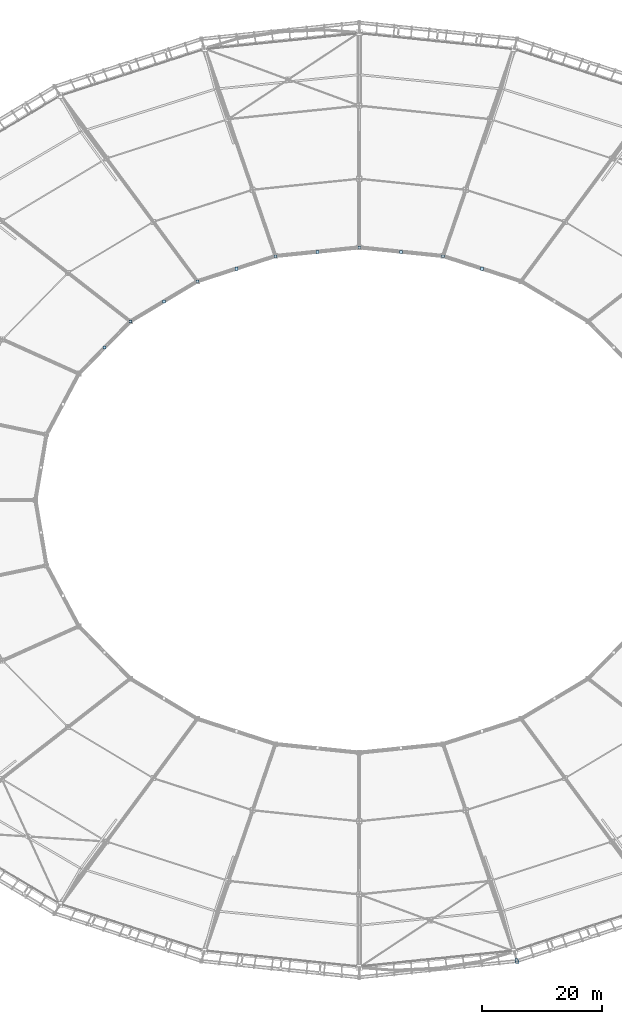
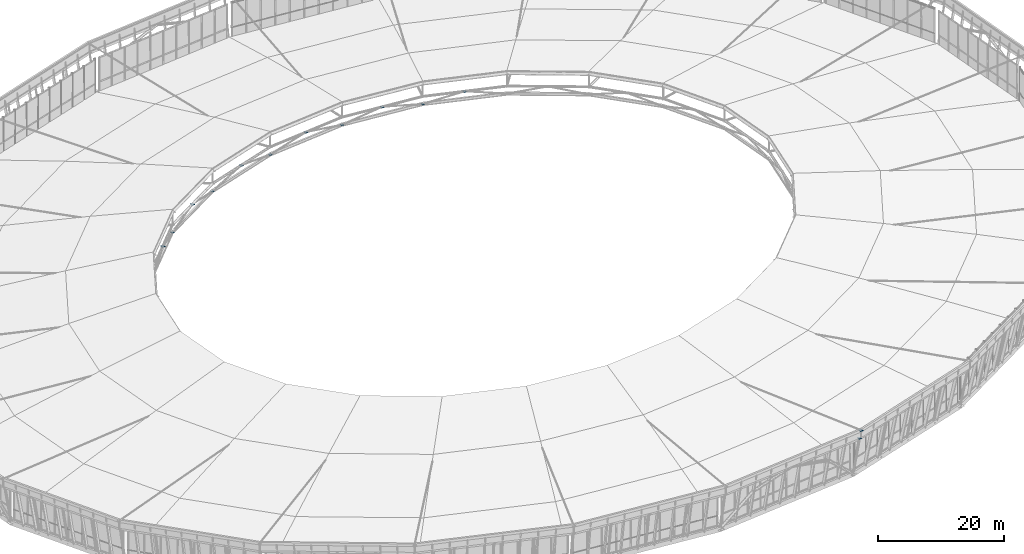
# One storey, part 104 of 115: 13 plates.
"""IFC4 building model written with IfcOpenShell, lengths in metres."""

from ifc_helpers import new_model, si_unit, direction, frame, origin, origin_2d, place, context, subcontext, project, spatial, rectangle, extrude, material, layer, layer_set, type_object, element, save


model = new_model("IFC4")

# Units and contexts
model_context = context("Model", 3, precision=1e-05, world=origin(), true_north=direction((0.0, 1.0)))
body_context = subcontext(model_context, "Body", "Model", "MODEL_VIEW")
ifc_project = project(units=[si_unit("LENGTHUNIT", "METRE"), si_unit("AREAUNIT", "SQUARE_METRE"), si_unit("VOLUMEUNIT", "CUBIC_METRE"), si_unit("PLANEANGLEUNIT", "RADIAN"), si_unit("MASSUNIT", "GRAM", prefix="KILO")], contexts=[model_context])

# Site, building, storey
site_placement = place(None, origin())
site = spatial("IfcSite", under=ifc_project, at=site_placement, CompositionType="ELEMENT")
building_placement = place(site_placement, origin())
building = spatial("IfcBuilding", under=site, at=building_placement, Name="Zlatoyarsky Gate Stadium", CompositionType="ELEMENT")
storey_placement = place(building_placement, frame((0.0, 0.0, 31.800048828125)))
storey = spatial("IfcBuildingStorey", under=building, at=storey_placement, Name="RF", CompositionType="ELEMENT", Elevation=31.800048828125)

# Plates
ifc_material = material(Name="Steel S355", Category="steel")
ifc_layer = layer(ifc_material, 0.02392578125)
ifc_layer_set = layer_set([ifc_layer], Name="Steel S355")
plate_type = type_object("IfcPlateType", Name="STEEL HOLLOW CHORD SPLICE SHEET 24", PredefinedType="SHEET", material=ifc_layer_set)
for number, where, z_axis, x_axis, name in (
    (1, (131.493896484375, 118.594482421875, 6.43798828125), (0.0, 0.0, 1.0), (1.0, 0.0, 0.0), "Node closure plate ND-SP1 NCAP-CATM-04"),
    (2, (117.989990234375, 121.4169921875, 6.43798828125), (0.0, 0.0, 1.0), (1.0, 0.0, 0.0), "Node closure plate ND-SP1 NCAP-CATM-05"),
):
    element("IfcPlate", number, at=place(storey_placement, frame(where, z_axis=z_axis, x_axis=x_axis)), inside=storey, type_object=plate_type, Name=name, PredefinedType="SHEET", context=body_context, shape_type="SweptSolid", body=[
        extrude(rectangle(XDim=0.52001953125, YDim=0.52001953125, at=origin_2d()), origin(), (0.0, 0.0, 1.0), 0.02392578125),
    ])
plate_1_placement = place(storey_placement, frame((124.97998046875, 120.69921875, 4.988037109375), z_axis=(0.0, 0.0, 1.0), x_axis=(1.0, 0.0, 0.0)))
element("IfcPlate", 3, at=plate_1_placement, inside=storey, type_object=plate_type, Name="Node closure plate ND-SP1 NCAP-CAT-05", PredefinedType="SHEET", context=body_context, shape_type="SweptSolid", body=[
    extrude(rectangle(XDim=0.449951171875, YDim=0.449951171875, at=origin_2d()), origin(), (0.0, 0.0, 1.0), 0.02392578125),
])
plate_2_placement = place(storey_placement, frame((104.010009765625, 121.4169921875, 6.43798828125), z_axis=(0.0, 0.0, 1.0), x_axis=(1.0, 0.0, 0.0)))
element("IfcPlate", 4, at=plate_2_placement, inside=storey, type_object=plate_type, Name="Node closure plate ND-SP1 NCAP-CATM-06", PredefinedType="SHEET", context=body_context, shape_type="SweptSolid", body=[
    extrude(rectangle(XDim=0.52001953125, YDim=0.52001953125, at=origin_2d()), origin(), (0.0, 0.0, 1.0), 0.02392578125),
])
plate_3_placement = place(storey_placement, frame((111.0, 122.135009765625, 4.988037109375), z_axis=(0.0, 0.0, 1.0), x_axis=(1.0, 0.0, 0.0)))
element("IfcPlate", 5, at=plate_3_placement, inside=storey, type_object=plate_type, Name="Node closure plate ND-SP1 NCAP-CAT-06", PredefinedType="SHEET", context=body_context, shape_type="SweptSolid", body=[
    extrude(rectangle(XDim=0.449951171875, YDim=0.449951171875, at=origin_2d()), origin(), (0.0, 0.0, 1.0), 0.02392578125),
])
plate_4_placement = place(storey_placement, frame((90.506103515625, 118.594482421875, 6.43798828125), z_axis=(0.0, 0.0, 1.0), x_axis=(1.0, 0.0, 0.0)))
element("IfcPlate", 6, at=plate_4_placement, inside=storey, type_object=plate_type, Name="Node closure plate ND-SP1 NCAP-CATM-07", PredefinedType="SHEET", context=body_context, shape_type="SweptSolid", body=[
    extrude(rectangle(XDim=0.52001953125, YDim=0.52001953125, at=origin_2d()), origin(), (0.0, 0.0, 1.0), 0.02392578125),
])
plate_5_placement = place(storey_placement, frame((97.02001953125, 120.69921875, 4.988037109375), z_axis=(0.0, 0.0, 1.0), x_axis=(1.0, 0.0, 0.0)))
element("IfcPlate", 7, at=plate_5_placement, inside=storey, type_object=plate_type, Name="Node closure plate ND-SP1 NCAP-CAT-07", PredefinedType="SHEET", context=body_context, shape_type="SweptSolid", body=[
    extrude(rectangle(XDim=0.449951171875, YDim=0.449951171875, at=origin_2d()), origin(), (0.0, 0.0, 1.0), 0.02392578125),
])
plate_6_placement = place(storey_placement, frame((78.399169921875, 113.141845703125, 6.43798828125), z_axis=(0.0, 0.0, 1.0), x_axis=(1.0, 0.0, 0.0)))
element("IfcPlate", 8, at=plate_6_placement, inside=storey, type_object=plate_type, Name="Node closure plate ND-SP1 NCAP-CATM-08", PredefinedType="SHEET", context=body_context, shape_type="SweptSolid", body=[
    extrude(rectangle(XDim=0.52001953125, YDim=0.52001953125, at=origin_2d()), origin(), (0.0, 0.0, 1.0), 0.02392578125),
])
plate_7_placement = place(storey_placement, frame((83.992431640625, 116.489990234375, 4.988037109375), z_axis=(0.0, 0.0, 1.0), x_axis=(1.0, 0.0, 0.0)))
element("IfcPlate", 9, at=plate_7_placement, inside=storey, type_object=plate_type, Name="Node closure plate ND-SP1 NCAP-CAT-08", PredefinedType="SHEET", context=body_context, shape_type="SweptSolid", body=[
    extrude(rectangle(XDim=0.449951171875, YDim=0.449951171875, at=origin_2d()), origin(), (0.0, 0.0, 1.0), 0.02392578125),
])
plate_8_placement = place(storey_placement, frame((68.513671875, 105.4306640625, 6.43798828125), z_axis=(0.0, 0.0, 1.0), x_axis=(1.0, 0.0, 0.0)))
element("IfcPlate", 10, at=plate_8_placement, inside=storey, type_object=plate_type, Name="Node closure plate ND-SP1 NCAP-CATM-09", PredefinedType="SHEET", context=body_context, shape_type="SweptSolid", body=[
    extrude(rectangle(XDim=0.52001953125, YDim=0.52001953125, at=origin_2d()), origin(), (0.0, 0.0, 1.0), 0.02392578125),
])
plate_9_placement = place(storey_placement, frame((72.8056640625, 109.7939453125, 4.988037109375), z_axis=(0.0, 0.0, 1.0), x_axis=(1.0, 0.0, 0.0)))
element("IfcPlate", 11, at=plate_9_placement, inside=storey, type_object=plate_type, Name="Node closure plate ND-SP1 NCAP-CAT-09", PredefinedType="SHEET", context=body_context, shape_type="SweptSolid", body=[
    extrude(rectangle(XDim=0.449951171875, YDim=0.449951171875, at=origin_2d()), origin(), (0.0, 0.0, 1.0), 0.02392578125),
])
plate_10_placement = place(storey_placement, frame((137.359130859375, 2.87646484375, 8.837890625), z_axis=(0.0, 0.0, 1.0), x_axis=(1.0, 0.0, 0.0)))
element("IfcPlate", 12, at=plate_10_placement, inside=storey, type_object=plate_type, Name="Node closure plate ND-SP1 NCAP-FSC-19", PredefinedType="SHEET", context=body_context, shape_type="SweptSolid", body=[
    extrude(rectangle(XDim=0.56005859375, YDim=0.56005859375, at=origin_2d()), origin(), (0.0, 0.0, 1.0), 0.02392578125),
])
plate_11_placement = place(storey_placement, frame((137.268798828125, 3.21337890625, 7.137939453125), z_axis=(0.0, 0.0, 1.0), x_axis=(1.0, 0.0, 0.0)))
element("IfcPlate", 13, at=plate_11_placement, inside=storey, type_object=plate_type, Name="Node closure plate ND-SP1 NCAP-FSCB-19", PredefinedType="SHEET", context=body_context, shape_type="SweptSolid", body=[
    extrude(rectangle(XDim=0.52001953125, YDim=0.52001953125, at=origin_2d()), origin(), (0.0, 0.0, 1.0), 0.02392578125),
])

save(model, "model.ifc")
